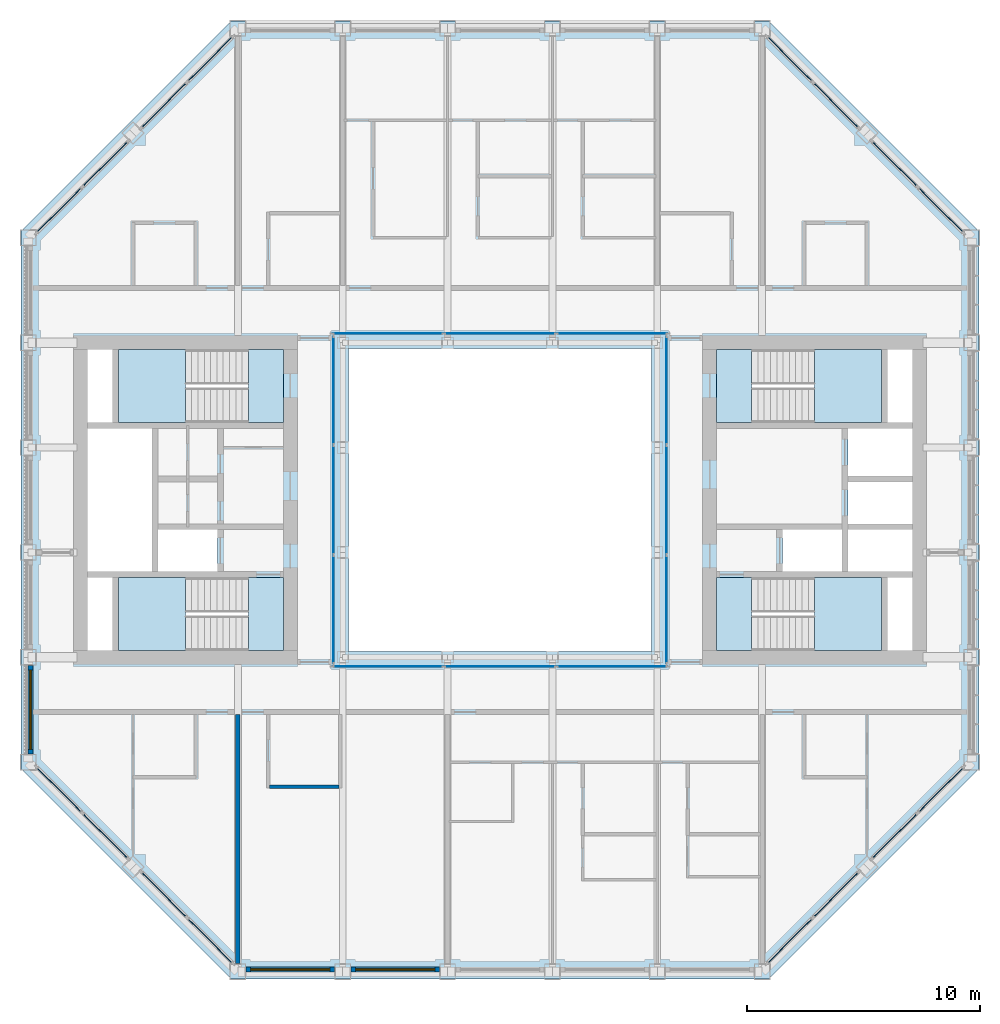
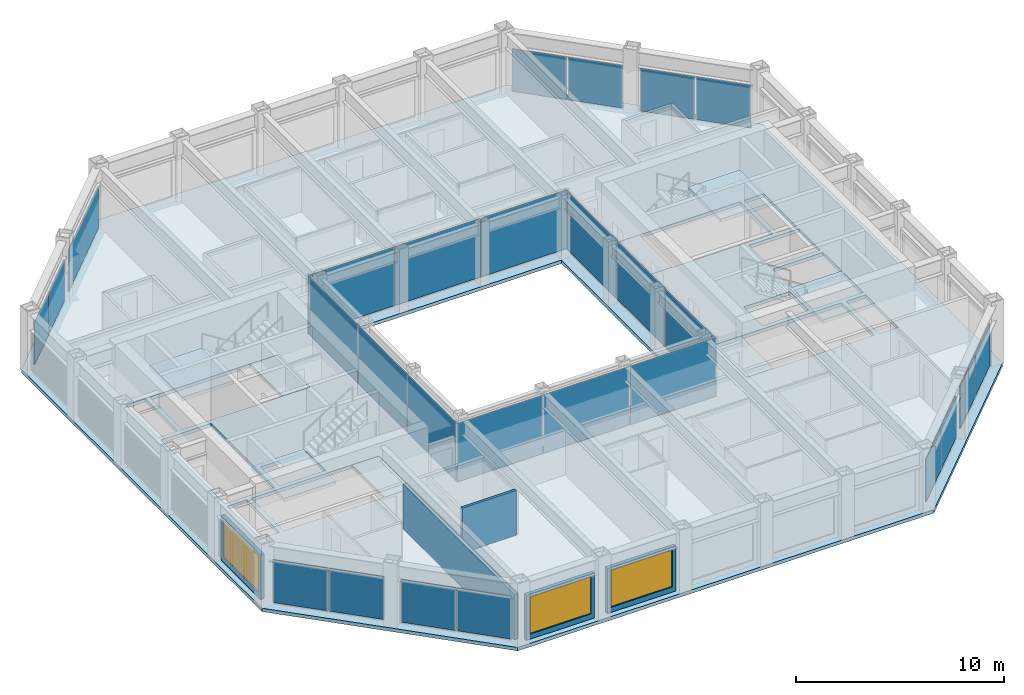
# One storey, part 8 of 17: 28 plates, 9 slabs, 5 walls, 3 windows, 3 openings, 16 elements without a shape of their own.
"""IFC4 building model written with IfcOpenShell, lengths in metres."""

from ifc_helpers import new_model, si_unit, direction, frame, frame_2d, origin, origin_2d, place, context, subcontext, project, spatial, polyline, rectangle, outline, extrude, material, layer, layer_set, type_object, element, fill, aggregate, save


model = new_model("IFC4")

# Units and contexts
model_context = context("Model", 3, precision=1e-05, world=origin(), true_north=direction((0.0, 1.0)))
body_context = subcontext(model_context, "Body", "Model", "MODEL_VIEW")
ifc_project = project(units=[si_unit("LENGTHUNIT", "METRE"), si_unit("AREAUNIT", "SQUARE_METRE"), si_unit("VOLUMEUNIT", "CUBIC_METRE"), si_unit("PLANEANGLEUNIT", "RADIAN"), si_unit("MASSUNIT", "GRAM", prefix="KILO")], contexts=[model_context])

# Site, building, storey
site_placement = place(None, origin())
site = spatial("IfcSite", under=ifc_project, at=site_placement, CompositionType="ELEMENT")
building_placement = place(site_placement, origin())
building = spatial("IfcBuilding", under=site, at=building_placement, Name="Msasa Ring Tower", CompositionType="ELEMENT")
storey_placement = place(building_placement, frame((0.0, 0.0, 234.550048828125)))
storey = spatial("IfcBuildingStorey", under=building, at=storey_placement, Name="L61", CompositionType="ELEMENT", Elevation=234.550048828125)

# Curtain wall, plates
ifc_material_1 = material(Name="Aluminium curtain wall with clear glass", Category="aluminium")
curtain_wall_type_1 = type_object("IfcCurtainWallType", Name="CW-C CHAMFER CORNER CURTAIN WALL", PredefinedType="NOTDEFINED", material=ifc_material_1)
curtain_wall_1_placement = place(storey_placement, origin())
curtain_wall_1 = element("IfcCurtainWall", 1, at=curtain_wall_1_placement, inside=storey, type_object=curtain_wall_type_1, Name="Chamfer corner curtain wall SE L61", PredefinedType="NOTDEFINED")
ifc_material_2 = material(Name="Clear laminated insulating glass unit", Category="glass")
ifc_layer_1 = layer(ifc_material_2, 0.031982421875)
ifc_layer_set_1 = layer_set([ifc_layer_1], Name="CW-C GLASS PANEL 32")
plate_type_1 = type_object("IfcPlateType", Name="CW-C GLASS PANEL 32", PredefinedType="CURTAIN_PANEL", material=ifc_layer_set_1)
plate_1_placement = place(storey_placement, frame((12.44140625, -18.917236328125, 0.06494140625), z_axis=(0.0, 0.0, 1.0), x_axis=(0.707106781187, 0.707106781187, 0.0)))
plate_1 = element("IfcPlate", 2, at=plate_1_placement, type_object=plate_type_1, Name="CW-C panel 1.1", PredefinedType="CURTAIN_PANEL", context=body_context, shape_type="SweptSolid", body=[
    extrude(rectangle(XDim=2.7294921875, YDim=0.031982421875, at=origin_2d()), origin(), (0.0, 0.0, 1.0), 2.4990234375),
])
plate_2_placement = place(storey_placement, frame((14.417236328125, -16.94140625, 0.06494140625), z_axis=(0.0, 0.0, 1.0), x_axis=(0.707106781187, 0.707106781187, 0.0)))
plate_2 = element("IfcPlate", 3, at=plate_2_placement, type_object=plate_type_1, Name="CW-C panel 2.1", PredefinedType="CURTAIN_PANEL", context=body_context, shape_type="SweptSolid", body=[
    extrude(rectangle(XDim=2.7294921875, YDim=0.031982421875, at=origin_2d()), origin(), (0.0, 0.0, 1.0), 2.4990234375),
])
aggregate(curtain_wall_1, [plate_1, plate_2])

curtain_wall_2_placement = place(storey_placement, origin())
curtain_wall_2 = element("IfcCurtainWall", 4, at=curtain_wall_2_placement, inside=storey, type_object=curtain_wall_type_1, Name="Chamfer corner curtain wall SE L61", PredefinedType="NOTDEFINED")
plate_3_placement = place(storey_placement, frame((16.94140625, -14.417236328125, 0.06494140625), z_axis=(0.0, 0.0, 1.0), x_axis=(0.707106781187, 0.707106781187, 0.0)))
plate_3 = element("IfcPlate", 5, at=plate_3_placement, type_object=plate_type_1, Name="CW-C panel 1.1", PredefinedType="CURTAIN_PANEL", context=body_context, shape_type="SweptSolid", body=[
    extrude(rectangle(XDim=2.7294921875, YDim=0.031982421875, at=origin_2d()), origin(), (0.0, 0.0, 1.0), 2.4990234375),
])
plate_4_placement = place(storey_placement, frame((18.917236328125, -12.44140625, 0.06494140625), z_axis=(0.0, 0.0, 1.0), x_axis=(0.707106781187, 0.707106781187, 0.0)))
plate_4 = element("IfcPlate", 6, at=plate_4_placement, type_object=plate_type_1, Name="CW-C panel 2.1", PredefinedType="CURTAIN_PANEL", context=body_context, shape_type="SweptSolid", body=[
    extrude(rectangle(XDim=2.7294921875, YDim=0.031982421875, at=origin_2d()), origin(), (0.0, 0.0, 1.0), 2.4990234375),
])
aggregate(curtain_wall_2, [plate_3, plate_4])

curtain_wall_3_placement = place(storey_placement, origin())
curtain_wall_3 = element("IfcCurtainWall", 7, at=curtain_wall_3_placement, inside=storey, type_object=curtain_wall_type_1, Name="Chamfer corner curtain wall NE L61", PredefinedType="NOTDEFINED")
plate_5_placement = place(storey_placement, frame((14.417236328125, 16.94140625, 0.06494140625), z_axis=(0.0, 0.0, 1.0), x_axis=(-0.707106781187, 0.707106781187, 0.0)))
plate_5 = element("IfcPlate", 8, at=plate_5_placement, type_object=plate_type_1, Name="CW-C panel 1.1", PredefinedType="CURTAIN_PANEL", context=body_context, shape_type="SweptSolid", body=[
    extrude(rectangle(XDim=2.7294921875, YDim=0.031982421875, at=origin_2d()), origin(), (0.0, 0.0, 1.0), 2.4990234375),
])
plate_6_placement = place(storey_placement, frame((12.44140625, 18.917236328125, 0.06494140625), z_axis=(0.0, 0.0, 1.0), x_axis=(-0.707106781187, 0.707106781187, 0.0)))
plate_6 = element("IfcPlate", 9, at=plate_6_placement, type_object=plate_type_1, Name="CW-C panel 2.1", PredefinedType="CURTAIN_PANEL", context=body_context, shape_type="SweptSolid", body=[
    extrude(rectangle(XDim=2.7294921875, YDim=0.031982421875, at=origin_2d()), origin(), (0.0, 0.0, 1.0), 2.4990234375),
])
aggregate(curtain_wall_3, [plate_5, plate_6])

curtain_wall_4_placement = place(storey_placement, origin())
curtain_wall_4 = element("IfcCurtainWall", 10, at=curtain_wall_4_placement, inside=storey, type_object=curtain_wall_type_1, Name="Chamfer corner curtain wall NE L61", PredefinedType="NOTDEFINED")
plate_7_placement = place(storey_placement, frame((18.917236328125, 12.44140625, 0.06494140625), z_axis=(0.0, 0.0, 1.0), x_axis=(-0.707106781187, 0.707106781187, 0.0)))
plate_7 = element("IfcPlate", 11, at=plate_7_placement, type_object=plate_type_1, Name="CW-C panel 1.1", PredefinedType="CURTAIN_PANEL", context=body_context, shape_type="SweptSolid", body=[
    extrude(rectangle(XDim=2.7294921875, YDim=0.031982421875, at=origin_2d()), origin(), (0.0, 0.0, 1.0), 2.4990234375),
])
plate_8_placement = place(storey_placement, frame((16.94140625, 14.417236328125, 0.06494140625), z_axis=(0.0, 0.0, 1.0), x_axis=(-0.707106781187, 0.707106781187, 0.0)))
plate_8 = element("IfcPlate", 12, at=plate_8_placement, type_object=plate_type_1, Name="CW-C panel 2.1", PredefinedType="CURTAIN_PANEL", context=body_context, shape_type="SweptSolid", body=[
    extrude(rectangle(XDim=2.7294921875, YDim=0.031982421875, at=origin_2d()), origin(), (0.0, 0.0, 1.0), 2.4990234375),
])
aggregate(curtain_wall_4, [plate_7, plate_8])

curtain_wall_5_placement = place(storey_placement, origin())
curtain_wall_5 = element("IfcCurtainWall", 13, at=curtain_wall_5_placement, inside=storey, type_object=curtain_wall_type_1, Name="Chamfer corner curtain wall NW L61", PredefinedType="NOTDEFINED")
plate_9_placement = place(storey_placement, frame((-16.94140625, 14.417236328125, 0.06494140625), z_axis=(0.0, 0.0, 1.0), x_axis=(-0.707106781187, -0.707106781187, 0.0)))
plate_9 = element("IfcPlate", 14, at=plate_9_placement, type_object=plate_type_1, Name="CW-C panel 1.1", PredefinedType="CURTAIN_PANEL", context=body_context, shape_type="SweptSolid", body=[
    extrude(rectangle(XDim=2.7294921875, YDim=0.031982421875, at=origin_2d()), origin(), (0.0, 0.0, 1.0), 2.4990234375),
])
plate_10_placement = place(storey_placement, frame((-18.917236328125, 12.44140625, 0.06494140625), z_axis=(0.0, 0.0, 1.0), x_axis=(-0.707106781187, -0.707106781187, 0.0)))
plate_10 = element("IfcPlate", 15, at=plate_10_placement, type_object=plate_type_1, Name="CW-C panel 2.1", PredefinedType="CURTAIN_PANEL", context=body_context, shape_type="SweptSolid", body=[
    extrude(rectangle(XDim=2.7294921875, YDim=0.031982421875, at=origin_2d()), origin(), (0.0, 0.0, 1.0), 2.4990234375),
])
aggregate(curtain_wall_5, [plate_9, plate_10])

curtain_wall_6_placement = place(storey_placement, origin())
curtain_wall_6 = element("IfcCurtainWall", 16, at=curtain_wall_6_placement, inside=storey, type_object=curtain_wall_type_1, Name="Chamfer corner curtain wall NW L61", PredefinedType="NOTDEFINED")
plate_11_placement = place(storey_placement, frame((-12.44140625, 18.917236328125, 0.06494140625), z_axis=(0.0, 0.0, 1.0), x_axis=(-0.707106781187, -0.707106781187, 0.0)))
plate_11 = element("IfcPlate", 17, at=plate_11_placement, type_object=plate_type_1, Name="CW-C panel 1.1", PredefinedType="CURTAIN_PANEL", context=body_context, shape_type="SweptSolid", body=[
    extrude(rectangle(XDim=2.7294921875, YDim=0.031982421875, at=origin_2d()), origin(), (0.0, 0.0, 1.0), 2.4990234375),
])
plate_12_placement = place(storey_placement, frame((-14.417236328125, 16.94140625, 0.06494140625), z_axis=(0.0, 0.0, 1.0), x_axis=(-0.707106781187, -0.707106781187, 0.0)))
plate_12 = element("IfcPlate", 18, at=plate_12_placement, type_object=plate_type_1, Name="CW-C panel 2.1", PredefinedType="CURTAIN_PANEL", context=body_context, shape_type="SweptSolid", body=[
    extrude(rectangle(XDim=2.7294921875, YDim=0.031982421875, at=origin_2d()), origin(), (0.0, 0.0, 1.0), 2.4990234375),
])
aggregate(curtain_wall_6, [plate_11, plate_12])

curtain_wall_7_placement = place(storey_placement, origin())
curtain_wall_7 = element("IfcCurtainWall", 19, at=curtain_wall_7_placement, inside=storey, type_object=curtain_wall_type_1, Name="Chamfer corner curtain wall SW L61", PredefinedType="NOTDEFINED")
plate_13_placement = place(storey_placement, frame((-18.917236328125, -12.44140625, 0.06494140625), z_axis=(0.0, 0.0, 1.0), x_axis=(0.707106781187, -0.707106781187, 0.0)))
plate_13 = element("IfcPlate", 20, at=plate_13_placement, type_object=plate_type_1, Name="CW-C panel 1.1", PredefinedType="CURTAIN_PANEL", context=body_context, shape_type="SweptSolid", body=[
    extrude(rectangle(XDim=2.7294921875, YDim=0.031982421875, at=origin_2d()), origin(), (0.0, 0.0, 1.0), 2.4990234375),
])
plate_14_placement = place(storey_placement, frame((-16.94140625, -14.417236328125, 0.06494140625), z_axis=(0.0, 0.0, 1.0), x_axis=(0.707106781187, -0.707106781187, 0.0)))
plate_14 = element("IfcPlate", 21, at=plate_14_placement, type_object=plate_type_1, Name="CW-C panel 2.1", PredefinedType="CURTAIN_PANEL", context=body_context, shape_type="SweptSolid", body=[
    extrude(rectangle(XDim=2.7294921875, YDim=0.031982421875, at=origin_2d()), origin(), (0.0, 0.0, 1.0), 2.4990234375),
])
aggregate(curtain_wall_7, [plate_13, plate_14])

curtain_wall_8_placement = place(storey_placement, origin())
curtain_wall_8 = element("IfcCurtainWall", 22, at=curtain_wall_8_placement, inside=storey, type_object=curtain_wall_type_1, Name="Chamfer corner curtain wall SW L61", PredefinedType="NOTDEFINED")
plate_15_placement = place(storey_placement, frame((-14.417236328125, -16.94140625, 0.06494140625), z_axis=(0.0, 0.0, 1.0), x_axis=(0.707106781187, -0.707106781187, 0.0)))
plate_15 = element("IfcPlate", 23, at=plate_15_placement, type_object=plate_type_1, Name="CW-C panel 1.1", PredefinedType="CURTAIN_PANEL", context=body_context, shape_type="SweptSolid", body=[
    extrude(rectangle(XDim=2.7294921875, YDim=0.031982421875, at=origin_2d()), origin(), (0.0, 0.0, 1.0), 2.4990234375),
])
plate_16_placement = place(storey_placement, frame((-12.44140625, -18.917236328125, 0.06494140625), z_axis=(0.0, 0.0, 1.0), x_axis=(0.707106781187, -0.707106781187, 0.0)))
plate_16 = element("IfcPlate", 24, at=plate_16_placement, type_object=plate_type_1, Name="CW-C panel 2.1", PredefinedType="CURTAIN_PANEL", context=body_context, shape_type="SweptSolid", body=[
    extrude(rectangle(XDim=2.7294921875, YDim=0.031982421875, at=origin_2d()), origin(), (0.0, 0.0, 1.0), 2.4990234375),
])
aggregate(curtain_wall_8, [plate_15, plate_16])

ifc_material_3 = material(Name="Aluminium curtain wall with clear glass", Category="aluminium")
curtain_wall_type_2 = type_object("IfcCurtainWallType", Name="CW-W LIGHT WELL CURTAIN WALL", PredefinedType="NOTDEFINED", material=ifc_material_3)
curtain_wall_9_placement = place(storey_placement, origin())
curtain_wall_9 = element("IfcCurtainWall", 25, at=curtain_wall_9_placement, inside=storey, type_object=curtain_wall_type_2, Name="Light well curtain wall N L61", PredefinedType="NOTDEFINED")
ifc_material_4 = material(Name="Clear laminated insulating glass unit", Category="glass")
ifc_layer_2 = layer(ifc_material_4, 0.028076171875)
ifc_layer_set_2 = layer_set([ifc_layer_2], Name="CW-W GLASS PANEL 28")
plate_type_2 = type_object("IfcPlateType", Name="CW-W GLASS PANEL 28", PredefinedType="CURTAIN_PANEL", material=ifc_layer_set_2)
plate_17_placement = place(storey_placement, frame((-4.804931640625, 7.14990234375, 0.06005859375), z_axis=(0.0, 0.0, 1.0), x_axis=(1.0, 0.0, 0.0)))
plate_17 = element("IfcPlate", 26, at=plate_17_placement, type_object=plate_type_2, Name="CW-W panel 1.1", PredefinedType="CURTAIN_PANEL", context=body_context, shape_type="SweptSolid", body=[
    extrude(rectangle(XDim=4.72998046875, YDim=0.028076171875, at=origin_2d()), origin(), (0.0, 0.0, 1.0), 3.429931640625),
])
plate_18_placement = place(storey_placement, frame((0.0, 7.14990234375, 0.06005859375), z_axis=(0.0, 0.0, 1.0), x_axis=(1.0, 0.0, 0.0)))
plate_18 = element("IfcPlate", 27, at=plate_18_placement, type_object=plate_type_2, Name="CW-W panel 2.1", PredefinedType="CURTAIN_PANEL", context=body_context, shape_type="SweptSolid", body=[
    extrude(rectangle(XDim=4.760009765625, YDim=0.028076171875, at=origin_2d()), origin(), (0.0, 0.0, 1.0), 3.429931640625),
])
plate_19_placement = place(storey_placement, frame((4.804931640625, 7.14990234375, 0.06005859375), z_axis=(0.0, 0.0, 1.0), x_axis=(1.0, 0.0, 0.0)))
plate_19 = element("IfcPlate", 28, at=plate_19_placement, type_object=plate_type_2, Name="CW-W panel 3.1", PredefinedType="CURTAIN_PANEL", context=body_context, shape_type="SweptSolid", body=[
    extrude(rectangle(XDim=4.72998046875, YDim=0.028076171875, at=origin_2d()), origin(), (0.0, 0.0, 1.0), 3.429931640625),
])
aggregate(curtain_wall_9, [plate_17, plate_18, plate_19])

curtain_wall_10_placement = place(storey_placement, origin())
curtain_wall_10 = element("IfcCurtainWall", 29, at=curtain_wall_10_placement, inside=storey, type_object=curtain_wall_type_2, Name="Light well curtain wall S L61", PredefinedType="NOTDEFINED")
plate_20_placement = place(storey_placement, frame((-4.804931640625, -7.14990234375, 0.06005859375), z_axis=(0.0, 0.0, 1.0), x_axis=(1.0, 0.0, 0.0)))
plate_20 = element("IfcPlate", 30, at=plate_20_placement, type_object=plate_type_2, Name="CW-W panel 1.1", PredefinedType="CURTAIN_PANEL", context=body_context, shape_type="SweptSolid", body=[
    extrude(rectangle(XDim=4.72998046875, YDim=0.028076171875, at=origin_2d()), origin(), (0.0, 0.0, 1.0), 3.429931640625),
])
plate_21_placement = place(storey_placement, frame((0.0, -7.14990234375, 0.06005859375), z_axis=(0.0, 0.0, 1.0), x_axis=(1.0, 0.0, 0.0)))
plate_21 = element("IfcPlate", 31, at=plate_21_placement, type_object=plate_type_2, Name="CW-W panel 2.1", PredefinedType="CURTAIN_PANEL", context=body_context, shape_type="SweptSolid", body=[
    extrude(rectangle(XDim=4.760009765625, YDim=0.028076171875, at=origin_2d()), origin(), (0.0, 0.0, 1.0), 3.429931640625),
])
plate_22_placement = place(storey_placement, frame((4.804931640625, -7.14990234375, 0.06005859375), z_axis=(0.0, 0.0, 1.0), x_axis=(1.0, 0.0, 0.0)))
plate_22 = element("IfcPlate", 32, at=plate_22_placement, type_object=plate_type_2, Name="CW-W panel 3.1", PredefinedType="CURTAIN_PANEL", context=body_context, shape_type="SweptSolid", body=[
    extrude(rectangle(XDim=4.72998046875, YDim=0.028076171875, at=origin_2d()), origin(), (0.0, 0.0, 1.0), 3.429931640625),
])
aggregate(curtain_wall_10, [plate_20, plate_21, plate_22])

curtain_wall_11_placement = place(storey_placement, origin())
curtain_wall_11 = element("IfcCurtainWall", 33, at=curtain_wall_11_placement, inside=storey, type_object=curtain_wall_type_2, Name="Light well curtain wall E L61", PredefinedType="NOTDEFINED")
plate_23_placement = place(storey_placement, frame((7.14990234375, -4.6982421875, 0.06005859375), z_axis=(0.0, 0.0, 1.0), x_axis=(0.0, 1.0, 0.0)))
plate_23 = element("IfcPlate", 34, at=plate_23_placement, type_object=plate_type_2, Name="CW-W panel 1.1", PredefinedType="CURTAIN_PANEL", context=body_context, shape_type="SweptSolid", body=[
    extrude(rectangle(XDim=4.623291015625, YDim=0.028076171875, at=origin_2d()), origin(), (0.0, 0.0, 1.0), 3.429931640625),
])
plate_24_placement = place(storey_placement, frame((7.14990234375, 0.0, 0.06005859375), z_axis=(0.0, 0.0, 1.0), x_axis=(0.0, 1.0, 0.0)))
plate_24 = element("IfcPlate", 35, at=plate_24_placement, type_object=plate_type_2, Name="CW-W panel 2.1", PredefinedType="CURTAIN_PANEL", context=body_context, shape_type="SweptSolid", body=[
    extrude(rectangle(XDim=4.6533203125, YDim=0.028076171875, at=origin_2d()), origin(), (0.0, 0.0, 1.0), 3.429931640625),
])
plate_25_placement = place(storey_placement, frame((7.14990234375, 4.6982421875, 0.06005859375), z_axis=(0.0, 0.0, 1.0), x_axis=(0.0, 1.0, 0.0)))
plate_25 = element("IfcPlate", 36, at=plate_25_placement, type_object=plate_type_2, Name="CW-W panel 3.1", PredefinedType="CURTAIN_PANEL", context=body_context, shape_type="SweptSolid", body=[
    extrude(rectangle(XDim=4.623291015625, YDim=0.028076171875, at=origin_2d()), origin(), (0.0, 0.0, 1.0), 3.429931640625),
])
aggregate(curtain_wall_11, [plate_23, plate_24, plate_25])

curtain_wall_12_placement = place(storey_placement, origin())
curtain_wall_12 = element("IfcCurtainWall", 37, at=curtain_wall_12_placement, inside=storey, type_object=curtain_wall_type_2, Name="Light well curtain wall W L61", PredefinedType="NOTDEFINED")
plate_26_placement = place(storey_placement, frame((-7.14990234375, -4.6982421875, 0.06005859375), z_axis=(0.0, 0.0, 1.0), x_axis=(0.0, 1.0, 0.0)))
plate_26 = element("IfcPlate", 38, at=plate_26_placement, type_object=plate_type_2, Name="CW-W panel 1.1", PredefinedType="CURTAIN_PANEL", context=body_context, shape_type="SweptSolid", body=[
    extrude(rectangle(XDim=4.623291015625, YDim=0.028076171875, at=origin_2d()), origin(), (0.0, 0.0, 1.0), 3.429931640625),
])
plate_27_placement = place(storey_placement, frame((-7.14990234375, 0.0, 0.06005859375), z_axis=(0.0, 0.0, 1.0), x_axis=(0.0, 1.0, 0.0)))
plate_27 = element("IfcPlate", 39, at=plate_27_placement, type_object=plate_type_2, Name="CW-W panel 2.1", PredefinedType="CURTAIN_PANEL", context=body_context, shape_type="SweptSolid", body=[
    extrude(rectangle(XDim=4.6533203125, YDim=0.028076171875, at=origin_2d()), origin(), (0.0, 0.0, 1.0), 3.429931640625),
])
plate_28_placement = place(storey_placement, frame((-7.14990234375, 4.6982421875, 0.06005859375), z_axis=(0.0, 0.0, 1.0), x_axis=(0.0, 1.0, 0.0)))
plate_28 = element("IfcPlate", 40, at=plate_28_placement, type_object=plate_type_2, Name="CW-W panel 3.1", PredefinedType="CURTAIN_PANEL", context=body_context, shape_type="SweptSolid", body=[
    extrude(rectangle(XDim=4.623291015625, YDim=0.028076171875, at=origin_2d()), origin(), (0.0, 0.0, 1.0), 3.429931640625),
])
aggregate(curtain_wall_12, [plate_26, plate_27, plate_28])

# Stair, slabs
ifc_material_5 = material(Name="Concrete C40/50", Category="concrete")
stair_type = type_object("IfcStairType", Name="STC CORE STAIR 22 RISERS 170.5", PredefinedType="HALF_TURN_STAIR", material=ifc_material_5)
stair_1_placement = place(storey_placement, origin())
stair_1 = element("IfcStair", 41, at=stair_1_placement, inside=storey, type_object=stair_type, Name="Core stair SEA L61", PredefinedType="HALF_TURN_STAIR")
ifc_material_6 = material(Name="Concrete C40/50", Category="concrete")
ifc_layer_3 = layer(ifc_material_6, 0.199951171875)
ifc_layer_set_3 = layer_set([ifc_layer_3], Name="LD1 CORE STAIR LANDING 200")
slab_type_1 = type_object("IfcSlabType", Name="LD1 CORE STAIR LANDING 200", PredefinedType="LANDING", material=ifc_layer_set_3)
slab_1_placement = place(storey_placement, frame((0.0, 0.0, -0.199951171875)))
slab_1 = element("IfcSlab", 42, at=slab_1_placement, type_object=slab_type_1, Name="SEA landing 1", PredefinedType="LANDING", context=body_context, shape_type="SweptSolid", body=[
    extrude(outline(polyline([(9.300048828125, -6.449951171875), (10.800048828125, -6.449951171875), (10.800048828125, -3.324951171875), (9.300048828125, -3.324951171875), (9.300048828125, -6.449951171875)])), origin(), (0.0, 0.0, 1.0), 0.199951171875),
])
slab_2_placement = place(storey_placement, frame((0.0, 0.0, 1.675048828125)))
slab_2 = element("IfcSlab", 43, at=slab_2_placement, type_object=slab_type_1, Name="SEA landing 2", PredefinedType="LANDING", context=body_context, shape_type="SweptSolid", body=[
    extrude(outline(polyline([(13.5, -6.449951171875), (16.375, -6.449951171875), (16.375, -3.324951171875), (13.5, -3.324951171875), (13.5, -6.449951171875)])), origin(), (0.0, 0.0, 1.0), 0.199951171875),
])
aggregate(stair_1, [slab_1, slab_2])

stair_2_placement = place(storey_placement, origin())
stair_2 = element("IfcStair", 44, at=stair_2_placement, inside=storey, type_object=stair_type, Name="Core stair SEB L61", PredefinedType="HALF_TURN_STAIR")
slab_3_placement = place(storey_placement, frame((0.0, 0.0, -0.199951171875)))
slab_3 = element("IfcSlab", 45, at=slab_3_placement, type_object=slab_type_1, Name="SEB landing 1", PredefinedType="LANDING", context=body_context, shape_type="SweptSolid", body=[
    extrude(outline(polyline([(9.300048828125, 3.324951171875), (10.800048828125, 3.324951171875), (10.800048828125, 6.449951171875), (9.300048828125, 6.449951171875), (9.300048828125, 3.324951171875)])), origin(), (0.0, 0.0, 1.0), 0.199951171875),
])
slab_4_placement = place(storey_placement, frame((0.0, 0.0, 1.675048828125)))
slab_4 = element("IfcSlab", 46, at=slab_4_placement, type_object=slab_type_1, Name="SEB landing 2", PredefinedType="LANDING", context=body_context, shape_type="SweptSolid", body=[
    extrude(outline(polyline([(13.5, 3.324951171875), (16.375, 3.324951171875), (16.375, 6.449951171875), (13.5, 6.449951171875), (13.5, 3.324951171875)])), origin(), (0.0, 0.0, 1.0), 0.199951171875),
])
aggregate(stair_2, [slab_3, slab_4])

stair_3_placement = place(storey_placement, origin())
stair_3 = element("IfcStair", 47, at=stair_3_placement, inside=storey, type_object=stair_type, Name="Core stair SWA L61", PredefinedType="HALF_TURN_STAIR")
slab_5_placement = place(storey_placement, frame((0.0, 0.0, -0.199951171875)))
slab_5 = element("IfcSlab", 48, at=slab_5_placement, type_object=slab_type_1, Name="SWA landing 1", PredefinedType="LANDING", context=body_context, shape_type="SweptSolid", body=[
    extrude(outline(polyline([(-10.800048828125, -6.449951171875), (-9.300048828125, -6.449951171875), (-9.300048828125, -3.324951171875), (-10.800048828125, -3.324951171875), (-10.800048828125, -6.449951171875)])), origin(), (0.0, 0.0, 1.0), 0.199951171875),
])
slab_6_placement = place(storey_placement, frame((0.0, 0.0, 1.675048828125)))
slab_6 = element("IfcSlab", 49, at=slab_6_placement, type_object=slab_type_1, Name="SWA landing 2", PredefinedType="LANDING", context=body_context, shape_type="SweptSolid", body=[
    extrude(outline(polyline([(-16.375, -6.449951171875), (-13.5, -6.449951171875), (-13.5, -3.324951171875), (-16.375, -3.324951171875), (-16.375, -6.449951171875)])), origin(), (0.0, 0.0, 1.0), 0.199951171875),
])
aggregate(stair_3, [slab_5, slab_6])

stair_4_placement = place(storey_placement, origin())
stair_4 = element("IfcStair", 50, at=stair_4_placement, inside=storey, type_object=stair_type, Name="Core stair SWB L61", PredefinedType="HALF_TURN_STAIR")
slab_7_placement = place(storey_placement, frame((0.0, 0.0, -0.199951171875)))
slab_7 = element("IfcSlab", 51, at=slab_7_placement, type_object=slab_type_1, Name="SWB landing 1", PredefinedType="LANDING", context=body_context, shape_type="SweptSolid", body=[
    extrude(outline(polyline([(-10.800048828125, 3.324951171875), (-9.300048828125, 3.324951171875), (-9.300048828125, 6.449951171875), (-10.800048828125, 6.449951171875), (-10.800048828125, 3.324951171875)])), origin(), (0.0, 0.0, 1.0), 0.199951171875),
])
slab_8_placement = place(storey_placement, frame((0.0, 0.0, 1.675048828125)))
slab_8 = element("IfcSlab", 52, at=slab_8_placement, type_object=slab_type_1, Name="SWB landing 2", PredefinedType="LANDING", context=body_context, shape_type="SweptSolid", body=[
    extrude(outline(polyline([(-16.375, 3.324951171875), (-13.5, 3.324951171875), (-13.5, 6.449951171875), (-16.375, 6.449951171875), (-16.375, 3.324951171875)])), origin(), (0.0, 0.0, 1.0), 0.199951171875),
])
aggregate(stair_4, [slab_7, slab_8])

# Slab
ifc_material_7 = material(Name="Concrete C40/50", Category="concrete")
ifc_layer_4 = layer(ifc_material_7, 0.199951171875)
ifc_layer_set_4 = layer_set([ifc_layer_4], Name="S8 SUITE FLOOR 200")
slab_type_2 = type_object("IfcSlabType", Name="S8 SUITE FLOOR 200", PredefinedType="FLOOR", material=ifc_layer_set_4)
slab_9_placement = place(storey_placement, frame((0.0, 0.0, -0.199951171875)))
element("IfcSlab", 53, at=slab_9_placement, inside=storey, type_object=slab_type_2, Name="Floor slab L61", PredefinedType="FLOOR", context=body_context, shape_type="SweptSolid", body=[
    extrude(outline(polyline([(-11.550048828125, -20.550048828125), (11.550048828125, -20.550048828125), (20.550048828125, -11.550048828125), (20.550048828125, 11.550048828125), (11.550048828125, 20.550048828125), (-11.550048828125, 20.550048828125), (-20.550048828125, 11.550048828125), (-20.550048828125, -11.550048828125), (-11.550048828125, -20.550048828125)]), holes=[polyline([(-6.5, -6.5), (6.5, -6.5), (6.5, 6.5), (-6.5, 6.5), (-6.5, -6.5)]), polyline([(9.300048828125, -6.449951171875), (16.375, -6.449951171875), (16.375, -3.324951171875), (9.300048828125, -3.324951171875), (9.300048828125, -6.449951171875)]), polyline([(9.300048828125, 3.324951171875), (16.375, 3.324951171875), (16.375, 6.449951171875), (9.300048828125, 6.449951171875), (9.300048828125, 3.324951171875)]), polyline([(12.125, -3.074951171875), (14.675048828125, -3.074951171875), (14.675048828125, -1.27490234375), (12.125, -1.27490234375), (12.125, -3.074951171875)]), polyline([(16.625, -6.449951171875), (17.699951171875, -6.449951171875), (17.699951171875, -3.324951171875), (16.625, -3.324951171875), (16.625, -6.449951171875)]), polyline([(16.625, 3.324951171875), (17.699951171875, 3.324951171875), (17.699951171875, 6.449951171875), (16.625, 6.449951171875), (16.625, 3.324951171875)]), polyline([(14.925048828125, -3.074951171875), (17.699951171875, -3.074951171875), (17.699951171875, -1.27490234375), (14.925048828125, -1.27490234375), (14.925048828125, -3.074951171875)]), polyline([(14.925048828125, -1.02490234375), (17.699951171875, -1.02490234375), (17.699951171875, 0.77490234375), (14.925048828125, 0.77490234375), (14.925048828125, -1.02490234375)]), polyline([(14.925048828125, 1.02490234375), (17.699951171875, 1.02490234375), (17.699951171875, 3.074951171875), (14.925048828125, 3.074951171875), (14.925048828125, 1.02490234375)]), polyline([(-16.375, -6.449951171875), (-9.300048828125, -6.449951171875), (-9.300048828125, -3.324951171875), (-16.375, -3.324951171875), (-16.375, -6.449951171875)]), polyline([(-16.375, 3.324951171875), (-9.300048828125, 3.324951171875), (-9.300048828125, 6.449951171875), (-16.375, 6.449951171875), (-16.375, 3.324951171875)]), polyline([(-14.675048828125, -3.074951171875), (-12.125, -3.074951171875), (-12.125, -1.27490234375), (-14.675048828125, -1.27490234375), (-14.675048828125, -3.074951171875)]), polyline([(-17.699951171875, -6.449951171875), (-16.625, -6.449951171875), (-16.625, -3.324951171875), (-17.699951171875, -3.324951171875), (-17.699951171875, -6.449951171875)]), polyline([(-17.699951171875, 3.324951171875), (-16.625, 3.324951171875), (-16.625, 6.449951171875), (-17.699951171875, 6.449951171875), (-17.699951171875, 3.324951171875)]), polyline([(-17.699951171875, -3.074951171875), (-14.925048828125, -3.074951171875), (-14.925048828125, 3.074951171875), (-17.699951171875, 3.074951171875), (-17.699951171875, -3.074951171875)])]), origin(), (0.0, 0.0, 1.0), 0.199951171875),
])

# Wall, opening, window
ifc_material_8 = material(Name="Terracotta rainscreen on blockwork", Category="masonry")
ifc_layer_5 = layer(ifc_material_8, 0.199951171875)
ifc_layer_set_5 = layer_set([ifc_layer_5], Name="FW1 TERRACOTTA-LINED INFILL BAY WALL 200")
wall_type_1 = type_object("IfcWallType", Name="FW1 TERRACOTTA-LINED INFILL BAY WALL 200", PredefinedType="SOLIDWALL", material=ifc_layer_set_5)
wall_1_placement = place(storey_placement, frame((-10.89501953125, -20.14990234375, 0.0), z_axis=(0.0, 0.0, 1.0), x_axis=(1.0, 0.0, 0.0)))
wall_1 = element("IfcWall", 54, at=wall_1_placement, inside=storey, type_object=wall_type_1, Name="Infill bay wall S L61 00", PredefinedType="SOLIDWALL", context=body_context, shape_type="SweptSolid", body=[
    extrude(rectangle(XDim=3.7900390625, YDim=0.199951171875, at=frame_2d((1.89501953125, 0.0))), origin(), (0.0, 0.0, 1.0), 2.62890625),
])
opening_1_placement = place(wall_1_placement, frame((0.195068359375, 0.0, 0.300048828125)))
opening_1 = element("IfcOpeningElement", 55, at=opening_1_placement, cuts=wall_1, Name="Opening WN3", PredefinedType="OPENING", context=body_context, shape_type="SweptSolid", body=[
    extrude(rectangle(XDim=3.39990234375, YDim=2.178955078125, at=frame_2d((1.699951171875, 1.08935546875))), frame((0.0, 0.10986328125, 0.0), z_axis=(0.0, -1.0, 0.0), x_axis=(1.0, 0.0, 0.0)), (0.0, 0.0, 1.0), 0.219970703125),
])
ifc_material_9 = material(Name="Aluminium frame with clear glass", Category="aluminium")
window_type = type_object("IfcWindowType", Name="WN3 SUITE WINDOW 3400x2179", PartitioningType="SINGLE_PANEL", PredefinedType="WINDOW", material=ifc_material_9)
window_1_placement = place(opening_1_placement, origin())
window_1 = element("IfcWindow", 56, at=window_1_placement, inside=storey, type_object=window_type, Name="Window S L61 00", OverallHeight=2.178955078125, OverallWidth=3.39990234375, PartitioningType="SINGLE_PANEL", PredefinedType="WINDOW", context=body_context, shape_type="SweptSolid", body=[
    extrude(rectangle(XDim=3.39990234375, YDim=2.178955078125, at=frame_2d((1.699951171875, 1.08935546875))), frame((0.0, 0.030029296875, 0.0), z_axis=(0.0, -1.0, 0.0), x_axis=(1.0, 0.0, 0.0)), (0.0, 0.0, 1.0), 0.06005859375),
])
fill(opening_1, window_1)

wall_2_placement = place(storey_placement, frame((-6.39501953125, -20.14990234375, 0.0), z_axis=(0.0, 0.0, 1.0), x_axis=(1.0, 0.0, 0.0)))
wall_2 = element("IfcWall", 57, at=wall_2_placement, inside=storey, type_object=wall_type_1, Name="Infill bay wall S L61 01", PredefinedType="SOLIDWALL", context=body_context, shape_type="SweptSolid", body=[
    extrude(rectangle(XDim=3.7900390625, YDim=0.199951171875, at=frame_2d((1.89501953125, 0.0))), origin(), (0.0, 0.0, 1.0), 2.62890625),
])
opening_2_placement = place(wall_2_placement, frame((0.195068359375, 0.0, 0.300048828125)))
opening_2 = element("IfcOpeningElement", 58, at=opening_2_placement, cuts=wall_2, Name="Opening WN3", PredefinedType="OPENING", context=body_context, shape_type="SweptSolid", body=[
    extrude(rectangle(XDim=3.39990234375, YDim=2.178955078125, at=frame_2d((1.699951171875, 1.08935546875))), frame((0.0, 0.10986328125, 0.0), z_axis=(0.0, -1.0, 0.0), x_axis=(1.0, 0.0, 0.0)), (0.0, 0.0, 1.0), 0.219970703125),
])
window_2_placement = place(opening_2_placement, origin())
window_2 = element("IfcWindow", 59, at=window_2_placement, inside=storey, type_object=window_type, Name="Window S L61 01", OverallHeight=2.178955078125, OverallWidth=3.39990234375, PartitioningType="SINGLE_PANEL", PredefinedType="WINDOW", context=body_context, shape_type="SweptSolid", body=[
    extrude(rectangle(XDim=3.39990234375, YDim=2.178955078125, at=frame_2d((1.699951171875, 1.08935546875))), frame((0.0, 0.030029296875, 0.0), z_axis=(0.0, -1.0, 0.0), x_axis=(1.0, 0.0, 0.0)), (0.0, 0.0, 1.0), 0.06005859375),
])
fill(opening_2, window_2)

wall_3_placement = place(storey_placement, frame((-20.14990234375, -10.89501953125, 0.0), z_axis=(0.0, 0.0, 1.0), x_axis=(0.0, 1.0, 0.0)))
wall_3 = element("IfcWall", 60, at=wall_3_placement, inside=storey, type_object=wall_type_1, Name="Infill bay wall W L61 21", PredefinedType="SOLIDWALL", context=body_context, shape_type="SweptSolid", body=[
    extrude(rectangle(XDim=3.7900390625, YDim=0.199951171875, at=frame_2d((1.89501953125, 0.0))), origin(), (0.0, 0.0, 1.0), 2.62890625),
])
opening_3_placement = place(wall_3_placement, frame((0.195068359375, 0.0, 0.300048828125)))
opening_3 = element("IfcOpeningElement", 61, at=opening_3_placement, cuts=wall_3, Name="Opening WN3", PredefinedType="OPENING", context=body_context, shape_type="SweptSolid", body=[
    extrude(rectangle(XDim=3.39990234375, YDim=2.178955078125, at=frame_2d((1.699951171875, 1.08935546875))), frame((0.0, 0.10986328125, 0.0), z_axis=(0.0, -1.0, 0.0), x_axis=(1.0, 0.0, 0.0)), (0.0, 0.0, 1.0), 0.219970703125),
])
window_3_placement = place(opening_3_placement, origin())
window_3 = element("IfcWindow", 62, at=window_3_placement, inside=storey, type_object=window_type, Name="Window W L61 21", OverallHeight=2.178955078125, OverallWidth=3.39990234375, PartitioningType="SINGLE_PANEL", PredefinedType="WINDOW", context=body_context, shape_type="SweptSolid", body=[
    extrude(rectangle(XDim=3.39990234375, YDim=2.178955078125, at=frame_2d((1.699951171875, 1.08935546875))), frame((0.0, 0.030029296875, 0.0), z_axis=(0.0, -1.0, 0.0), x_axis=(1.0, 0.0, 0.0)), (0.0, 0.0, 1.0), 0.06005859375),
])
fill(opening_3, window_3)

# Walls
ifc_material_10 = material(Name="Dense concrete blockwork, plastered both faces", Category="masonry")
ifc_layer_6 = layer(ifc_material_10, 0.25)
ifc_layer_set_6 = layer_set([ifc_layer_6], Name="PT3 APARTMENT SEPARATING WALL 250")
wall_type_2 = type_object("IfcWallType", Name="PT3 APARTMENT SEPARATING WALL 250", PredefinedType="PARTITIONING", material=ifc_layer_set_6)
wall_4_placement = place(storey_placement, frame((-11.25, -19.89990234375, 0.0), z_axis=(0.0, 0.0, 1.0), x_axis=(0.0, 1.0, 0.0)))
element("IfcWall", 63, at=wall_4_placement, inside=storey, type_object=wall_type_2, Name="Party wall L61-PWS-11.25", PredefinedType="PARTITIONING", context=body_context, shape_type="SweptSolid", body=[
    extrude(rectangle(XDim=10.699951171875, YDim=0.199951171875, at=frame_2d((5.35009765625, 0.0))), origin(), (0.0, 0.0, 1.0), 2.62890625),
])
ifc_material_11 = material(Name="Moisture-resistant board on steel studs with a concealed cistern and pipe void, tiled", Category="steel")
ifc_layer_7 = layer(ifc_material_11, 0.14990234375)
ifc_layer_set_7 = layer_set([ifc_layer_7], Name="PT4 BATHROOM WET WALL 150")
wall_type_3 = type_object("IfcWallType", Name="PT4 BATHROOM WET WALL 150", PredefinedType="PARTITIONING", material=ifc_layer_set_7)
wall_5_placement = place(storey_placement, frame((-9.89990234375, -12.300048828125, 0.0), z_axis=(0.0, 0.0, 1.0), x_axis=(1.0, 0.0, 0.0)))
element("IfcWall", 64, at=wall_5_placement, inside=storey, type_object=wall_type_3, Name="Partition L61-JS00BY", PredefinedType="PARTITIONING", context=body_context, shape_type="SweptSolid", body=[
    extrude(rectangle(XDim=3.0, YDim=0.14990234375, at=frame_2d((1.5, 0.0))), origin(), (0.0, 0.0, 1.0), 2.62890625),
])

save(model, "model.ifc")
